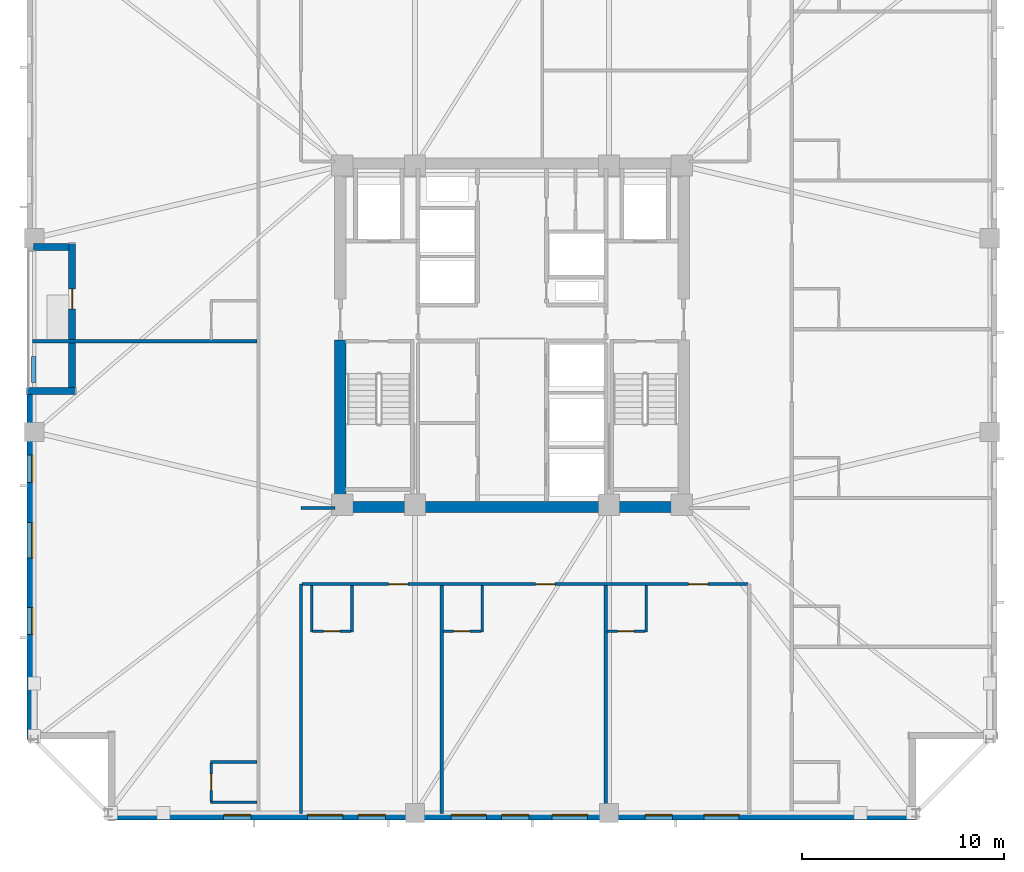
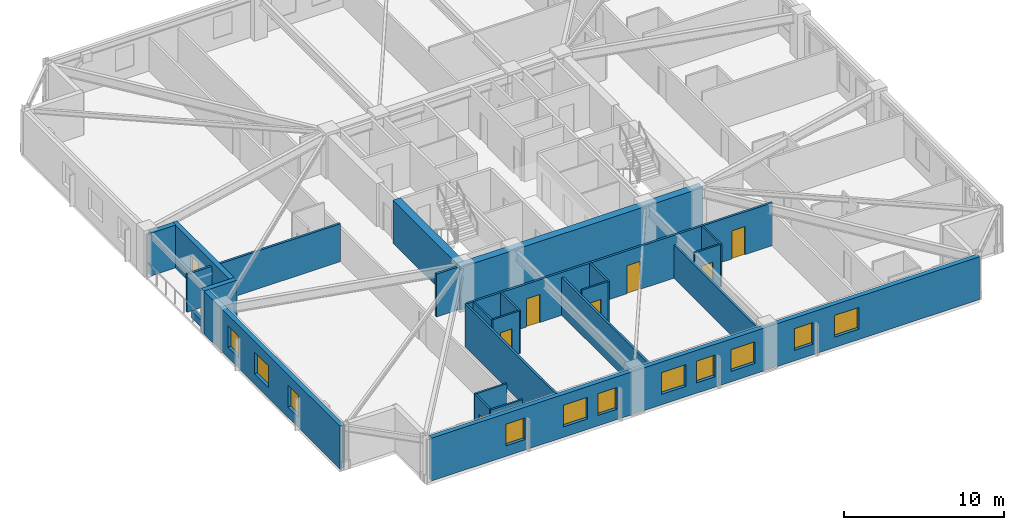
# One storey, part 2 of 11: 24 walls, 11 windows, 8 doors, 19 openings.
"""IFC4 building model written with IfcOpenShell, lengths in metres."""

from ifc_helpers import new_model, si_unit, direction, frame, frame_2d, origin, place, context, subcontext, project, spatial, rectangle, extrude, material, layer, layer_set, type_object, element, fill, save


model = new_model("IFC4")

# Units and contexts
model_context = context("Model", 3, precision=1e-05, world=origin(), true_north=direction((0.0, 1.0)))
body_context = subcontext(model_context, "Body", "Model", "MODEL_VIEW")
ifc_project = project(units=[si_unit("LENGTHUNIT", "METRE"), si_unit("AREAUNIT", "SQUARE_METRE"), si_unit("VOLUMEUNIT", "CUBIC_METRE"), si_unit("PLANEANGLEUNIT", "RADIAN"), si_unit("MASSUNIT", "GRAM", prefix="KILO")], contexts=[model_context])

# Site, building, storey
site_placement = place(None, origin())
site = spatial("IfcSite", under=ifc_project, at=site_placement, CompositionType="ELEMENT")
building_placement = place(site_placement, origin())
building = spatial("IfcBuilding", under=site, at=building_placement, Name="Cairnveth Concourse Tower", CompositionType="ELEMENT")
storey_placement = place(building_placement, frame((0.0, 0.0, 127.0)))
storey = spatial("IfcBuildingStorey", under=building, at=storey_placement, Name="L34", CompositionType="ELEMENT", Elevation=127.0)

# Walls
ifc_material_1 = material(Name="Gypsum Plasterboard Partition", Category="gypsum")
ifc_layer_1 = layer(ifc_material_1, 0.159912109375)
ifc_layer_set_1 = layer_set([ifc_layer_1], Name="Gypsum Plasterboard Partition")
wall_type_1 = type_object("IfcWallType", Name="ACOUSTIC PARTY WALL 180", PredefinedType="PARTITIONING", material=ifc_layer_set_1)
wall_1_placement = place(storey_placement, frame((41.550048828125, 15.324951171875, 0.0), z_axis=(0.0, 0.0, 1.0), x_axis=(0.0, 1.0, 0.0)))
element("IfcWall", 1, at=wall_1_placement, inside=storey, type_object=wall_type_1, Name="Interior Wall IW-L34-038", PredefinedType="PARTITIONING", context=body_context, shape_type="SweptSolid", body=[
    extrude(rectangle(XDim=11.35498046875, YDim=0.159912109375, at=frame_2d((5.677490234375, 0.0))), origin(), (0.0, 0.0, 1.0), 3.280029296875),
])
wall_2_placement = place(storey_placement, frame((41.550048828125, 30.449951171875, 0.0), z_axis=(0.0, 0.0, 1.0), x_axis=(1.0, 0.0, 0.0)))
element("IfcWall", 2, at=wall_2_placement, inside=storey, type_object=wall_type_1, Name="Interior Wall IW-L34-040", PredefinedType="PARTITIONING", context=body_context, shape_type="SweptSolid", body=[
    extrude(rectangle(XDim=1.68505859375, YDim=0.159912109375, at=frame_2d((0.842529296875, 0.0))), origin(), (0.0, 0.0, 1.0), 3.280029296875),
])

# Wall, openings, doors
wall_3_placement = place(storey_placement, frame((41.614990234375, 26.679931640625, 0.0), z_axis=(0.0, 0.0, 1.0), x_axis=(1.0, 0.0, 0.0)))
wall_3 = element("IfcWall", 3, at=wall_3_placement, inside=storey, type_object=wall_type_1, Name="Interior Wall IW-L34-047", PredefinedType="PARTITIONING", context=body_context, shape_type="SweptSolid", body=[
    extrude(rectangle(XDim=22.070068359375, YDim=0.159912109375, at=frame_2d((11.03515625, 0.0))), origin(), (0.0, 0.0, 1.0), 3.280029296875),
])
opening_1_placement = place(wall_3_placement, frame((4.281005859375, 0.0, 0.0)))
opening_1 = element("IfcOpeningElement", 4, at=opening_1_placement, cuts=wall_3, Name="Opening ID09", PredefinedType="OPENING", context=body_context, shape_type="SweptSolid", body=[
    extrude(rectangle(XDim=0.9599609375, YDim=2.14990234375, at=frame_2d((0.47998046875, 1.074951171875))), frame((0.0, 0.08984375, 0.0), z_axis=(0.0, -1.0, 0.0), x_axis=(1.0, 0.0, 0.0)), (0.0, 0.0, 1.0), 0.179931640625),
])
opening_2_placement = place(wall_3_placement, frame((11.56005859375, 0.0, 0.0)))
opening_2 = element("IfcOpeningElement", 5, at=opening_2_placement, cuts=wall_3, Name="Opening ID09", PredefinedType="OPENING", context=body_context, shape_type="SweptSolid", body=[
    extrude(rectangle(XDim=0.9599609375, YDim=2.14990234375, at=frame_2d((0.47998046875, 1.074951171875))), frame((0.0, 0.08984375, 0.0), z_axis=(0.0, -1.0, 0.0), x_axis=(1.0, 0.0, 0.0)), (0.0, 0.0, 1.0), 0.179931640625),
])
opening_3_placement = place(wall_3_placement, frame((19.13427734375, 0.0, 0.0)))
opening_3 = element("IfcOpeningElement", 6, at=opening_3_placement, cuts=wall_3, Name="Opening ID09", PredefinedType="OPENING", context=body_context, shape_type="SweptSolid", body=[
    extrude(rectangle(XDim=0.9599609375, YDim=2.14990234375, at=frame_2d((0.47998046875, 1.074951171875))), frame((0.0, 0.08984375, 0.0), z_axis=(0.0, -1.0, 0.0), x_axis=(1.0, 0.0, 0.0)), (0.0, 0.0, 1.0), 0.179931640625),
])
ifc_material_2 = material(Name="Solid Core Hardwood Timber Leaf", Category="wood")
door_type_1 = type_object("IfcDoorType", Name="HOTEL ENTRANCE DOOR 960X2150", OperationType="NOTDEFINED", PredefinedType="DOOR", material=ifc_material_2)
door_1_placement = place(opening_1_placement, origin())
door_1 = element("IfcDoor", 7, at=door_1_placement, inside=storey, type_object=door_type_1, Name="Hotel Room Door L34-S1", OperationType="SINGLE_SWING_RIGHT", OverallHeight=2.14990234375, OverallWidth=0.9599609375, PredefinedType="DOOR", context=body_context, shape_type="SweptSolid", body=[
    extrude(rectangle(XDim=0.9599609375, YDim=2.14990234375, at=frame_2d((0.47998046875, 1.074951171875))), frame((0.0, 0.02490234375, 0.0), z_axis=(0.0, -1.0, 0.0), x_axis=(1.0, 0.0, 0.0)), (0.0, 0.0, 1.0), 0.050048828125),
])
fill(opening_1, door_1)
door_2_placement = place(opening_2_placement, origin())
door_2 = element("IfcDoor", 8, at=door_2_placement, inside=storey, type_object=door_type_1, Name="Hotel Room Door L34-S2", OperationType="SINGLE_SWING_RIGHT", OverallHeight=2.14990234375, OverallWidth=0.9599609375, PredefinedType="DOOR", context=body_context, shape_type="SweptSolid", body=[
    extrude(rectangle(XDim=0.9599609375, YDim=2.14990234375, at=frame_2d((0.47998046875, 1.074951171875))), frame((0.0, 0.02490234375, 0.0), z_axis=(0.0, -1.0, 0.0), x_axis=(1.0, 0.0, 0.0)), (0.0, 0.0, 1.0), 0.050048828125),
])
fill(opening_2, door_2)
door_3_placement = place(opening_3_placement, origin())
door_3 = element("IfcDoor", 9, at=door_3_placement, inside=storey, type_object=door_type_1, Name="Hotel Room Door L34-S3", OperationType="SINGLE_SWING_RIGHT", OverallHeight=2.14990234375, OverallWidth=0.9599609375, PredefinedType="DOOR", context=body_context, shape_type="SweptSolid", body=[
    extrude(rectangle(XDim=0.9599609375, YDim=2.14990234375, at=frame_2d((0.47998046875, 1.074951171875))), frame((0.0, 0.02490234375, 0.0), z_axis=(0.0, -1.0, 0.0), x_axis=(1.0, 0.0, 0.0)), (0.0, 0.0, 1.0), 0.050048828125),
])
fill(opening_3, door_3)

# Walls
wall_4_placement = place(storey_placement, frame((48.521728515625, 15.324951171875, 0.0), z_axis=(0.0, 0.0, 1.0), x_axis=(0.0, 1.0, 0.0)))
element("IfcWall", 10, at=wall_4_placement, inside=storey, type_object=wall_type_1, Name="Interior Wall IW-L34-053", PredefinedType="PARTITIONING", context=body_context, shape_type="SweptSolid", body=[
    extrude(rectangle(XDim=11.275146484375, YDim=0.159912109375, at=frame_2d((5.6376953125, 0.0))), origin(), (0.0, 0.0, 1.0), 2.89599609375),
])
wall_5_placement = place(storey_placement, frame((56.63818359375, 15.324951171875, 0.0), z_axis=(0.0, 0.0, 1.0), x_axis=(0.0, 1.0, 0.0)))
element("IfcWall", 11, at=wall_5_placement, inside=storey, type_object=wall_type_1, Name="Interior Wall IW-L34-056", PredefinedType="PARTITIONING", context=body_context, shape_type="SweptSolid", body=[
    extrude(rectangle(XDim=11.275146484375, YDim=0.159912109375, at=frame_2d((5.6376953125, 0.0))), origin(), (0.0, 0.0, 1.0), 2.554931640625),
])
wall_6_placement = place(storey_placement, frame((28.27001953125, 38.704345703125, 0.0), z_axis=(0.0, 0.0, 1.0), x_axis=(1.0, 0.0, 0.0)))
element("IfcWall", 12, at=wall_6_placement, inside=storey, type_object=wall_type_1, Name="Interior Wall IW-L34-062", PredefinedType="PARTITIONING", context=body_context, shape_type="SweptSolid", body=[
    extrude(rectangle(XDim=11.10009765625, YDim=0.159912109375, at=frame_2d((5.550048828125, 0.0))), origin(), (0.0, 0.0, 1.0), 2.89599609375),
])
ifc_material_3 = material(Name="Concrete N80 (80 MPa)", Category="concrete")
ifc_layer_2 = layer(ifc_material_3, 0.550048828125)
ifc_layer_set_2 = layer_set([ifc_layer_2], Name="Concrete N80 (80 MPa)")
wall_type_2 = type_object("IfcWallType", Name="CORE SHEAR WALL 550", PredefinedType="SHEAR", material=ifc_layer_set_2)
wall_7_placement = place(storey_placement, frame((43.22509765625, 30.5, 0.0), z_axis=(0.0, 0.0, 1.0), x_axis=(1.0, 0.0, 0.0)))
element("IfcWall", 13, at=wall_7_placement, inside=storey, type_object=wall_type_2, Name="Core South Shear Wall L34", PredefinedType="SHEAR", context=body_context, shape_type="SweptSolid", body=[
    extrude(rectangle(XDim=17.5498046875, YDim=0.550048828125, at=frame_2d((8.77490234375, 0.0))), origin(), (0.0, 0.0, 1.0), 3.280029296875),
])
wall_8_placement = place(storey_placement, frame((43.5, 30.764892578125, 0.0), z_axis=(0.0, 0.0, 1.0), x_axis=(0.0, 1.0, 0.0)))
element("IfcWall", 14, at=wall_8_placement, inside=storey, type_object=wall_type_2, Name="Core West Shear Wall S L34", PredefinedType="SHEAR", context=body_context, shape_type="SweptSolid", body=[
    extrude(rectangle(XDim=7.985107421875, YDim=0.550048828125, at=frame_2d((3.99267578125, 0.0))), origin(), (0.0, 0.0, 1.0), 3.280029296875),
])
ifc_material_4 = material(Name="Dressed Melbourne Bluestone Cladding", Category="masonry")
ifc_layer_3 = layer(ifc_material_4, 0.219970703125)
ifc_layer_set_3 = layer_set([ifc_layer_3], Name="Dressed Melbourne Bluestone Cladding")
wall_type_3 = type_object("IfcWallType", Name="TERRACE PLANTER CURB WALL 220", PredefinedType="PARAPET", material=ifc_layer_set_3)
wall_9_placement = place(storey_placement, frame((28.320068359375, 36.64990234375, 0.0), z_axis=(0.0, 0.0, 1.0), x_axis=(0.0, 1.0, 0.0)))
element("IfcWall", 15, at=wall_9_placement, inside=storey, type_object=wall_type_3, Name="Exterior Wall PLNT-L34-TERR", PredefinedType="PARAPET", context=body_context, shape_type="SweptSolid", body=[
    extrude(rectangle(XDim=1.300048828125, YDim=0.219970703125, at=frame_2d((0.64990234375, 0.0))), origin(), (0.0, 0.0, 1.0), 0.550048828125),
])
ifc_layer_4 = layer(ifc_material_1, 0.1298828125)
ifc_layer_set_4 = layer_set([ifc_layer_4], Name="Gypsum Plasterboard Partition")
wall_type_4 = type_object("IfcWallType", Name="WET AREA PARTITION 140", PredefinedType="PLUMBINGWALL", material=ifc_layer_set_4)
for number, where, z_axis, x_axis, name in (
    (16, (42.080078125, 24.300048828125, 0.0), (0.0, 0.0, 1.0), (0.0, 1.0, 0.0), "Interior Wall IW-L34-050"),
    (17, (44.080078125, 24.300048828125, 0.0), (0.0, 0.0, 1.0), (0.0, 1.0, 0.0), "Interior Wall IW-L34-051"),
):
    element("IfcWall", number, at=place(storey_placement, frame(where, z_axis=z_axis, x_axis=x_axis)), inside=storey, type_object=wall_type_4, Name=name, PredefinedType="PLUMBINGWALL", context=body_context, shape_type="SweptSolid", body=[
        extrude(rectangle(XDim=2.31494140625, YDim=0.1298828125, at=frame_2d((1.157470703125, 0.0))), origin(), (0.0, 0.0, 1.0), 3.280029296875),
    ])

# Wall, opening, door
wall_10_placement = place(storey_placement, frame((42.1298828125, 24.35009765625, 0.0), z_axis=(0.0, 0.0, 1.0), x_axis=(1.0, 0.0, 0.0)))
wall_10 = element("IfcWall", 18, at=wall_10_placement, inside=storey, type_object=wall_type_4, Name="Interior Wall IW-L34-052", PredefinedType="PLUMBINGWALL", context=body_context, shape_type="SweptSolid", body=[
    extrude(rectangle(XDim=1.900146484375, YDim=0.1298828125, at=frame_2d((0.9501953125, 0.0))), origin(), (0.0, 0.0, 1.0), 3.280029296875),
])
opening_4_placement = place(wall_10_placement, frame((0.5400390625, 0.0, 0.0)))
opening_4 = element("IfcOpeningElement", 19, at=opening_4_placement, cuts=wall_10, Name="Opening ID22", PredefinedType="OPENING", context=body_context, shape_type="SweptSolid", body=[
    extrude(rectangle(XDim=0.820068359375, YDim=2.10009765625, at=frame_2d((0.41015625, 1.050048828125))), frame((0.0, 0.074951171875, 0.0), z_axis=(0.0, -1.0, 0.0), x_axis=(1.0, 0.0, 0.0)), (0.0, 0.0, 1.0), 0.14990234375),
])
door_type_2 = type_object("IfcDoorType", Name="INTERIOR WC DOOR 820X2100", OperationType="NOTDEFINED", PredefinedType="DOOR", material=ifc_material_2)
door_4_placement = place(opening_4_placement, origin())
door_4 = element("IfcDoor", 20, at=door_4_placement, inside=storey, type_object=door_type_2, Name="En-Suite Door L34-S1", OperationType="SINGLE_SWING_LEFT", OverallHeight=2.10009765625, OverallWidth=0.820068359375, PredefinedType="DOOR", context=body_context, shape_type="SweptSolid", body=[
    extrude(rectangle(XDim=0.820068359375, YDim=2.10009765625, at=frame_2d((0.41015625, 1.050048828125))), frame((0.0, 0.02490234375, 0.0), z_axis=(0.0, -1.0, 0.0), x_axis=(1.0, 0.0, 0.0)), (0.0, 0.0, 1.0), 0.050048828125),
])
fill(opening_4, door_4)

# Wall
wall_11_placement = place(storey_placement, frame((50.521728515625, 24.300048828125, 0.0), z_axis=(0.0, 0.0, 1.0), x_axis=(0.0, 1.0, 0.0)))
element("IfcWall", 21, at=wall_11_placement, inside=storey, type_object=wall_type_4, Name="Interior Wall IW-L34-054", PredefinedType="PLUMBINGWALL", context=body_context, shape_type="SweptSolid", body=[
    extrude(rectangle(XDim=2.31494140625, YDim=0.1298828125, at=frame_2d((1.157470703125, 0.0))), origin(), (0.0, 0.0, 1.0), 3.280029296875),
])

# Wall, opening, door
wall_12_placement = place(storey_placement, frame((48.586669921875, 24.35009765625, 0.0), z_axis=(0.0, 0.0, 1.0), x_axis=(1.0, 0.0, 0.0)))
wall_12 = element("IfcWall", 22, at=wall_12_placement, inside=storey, type_object=wall_type_4, Name="Interior Wall IW-L34-055", PredefinedType="PLUMBINGWALL", context=body_context, shape_type="SweptSolid", body=[
    extrude(rectangle(XDim=1.885009765625, YDim=0.1298828125, at=frame_2d((0.9423828125, 0.0))), origin(), (0.0, 0.0, 1.0), 3.280029296875),
])
opening_5_placement = place(wall_12_placement, frame((0.52490234375, 0.0, 0.0)))
opening_5 = element("IfcOpeningElement", 23, at=opening_5_placement, cuts=wall_12, Name="Opening ID22", PredefinedType="OPENING", context=body_context, shape_type="SweptSolid", body=[
    extrude(rectangle(XDim=0.820068359375, YDim=2.10009765625, at=frame_2d((0.41015625, 1.050048828125))), frame((0.0, 0.074951171875, 0.0), z_axis=(0.0, -1.0, 0.0), x_axis=(1.0, 0.0, 0.0)), (0.0, 0.0, 1.0), 0.14990234375),
])
door_5_placement = place(opening_5_placement, origin())
door_5 = element("IfcDoor", 24, at=door_5_placement, inside=storey, type_object=door_type_2, Name="En-Suite Door L34-S2", OperationType="SINGLE_SWING_LEFT", OverallHeight=2.10009765625, OverallWidth=0.820068359375, PredefinedType="DOOR", context=body_context, shape_type="SweptSolid", body=[
    extrude(rectangle(XDim=0.820068359375, YDim=2.10009765625, at=frame_2d((0.41015625, 1.050048828125))), frame((0.0, 0.02490234375, 0.0), z_axis=(0.0, -1.0, 0.0), x_axis=(1.0, 0.0, 0.0)), (0.0, 0.0, 1.0), 0.050048828125),
])
fill(opening_5, door_5)

# Wall
wall_13_placement = place(storey_placement, frame((58.63818359375, 24.300048828125, 0.0), z_axis=(0.0, 0.0, 1.0), x_axis=(0.0, 1.0, 0.0)))
element("IfcWall", 25, at=wall_13_placement, inside=storey, type_object=wall_type_4, Name="Interior Wall IW-L34-057", PredefinedType="PLUMBINGWALL", context=body_context, shape_type="SweptSolid", body=[
    extrude(rectangle(XDim=2.31494140625, YDim=0.1298828125, at=frame_2d((1.157470703125, 0.0))), origin(), (0.0, 0.0, 1.0), 3.280029296875),
])

# Wall, opening, door
wall_14_placement = place(storey_placement, frame((56.703369140625, 24.35009765625, 0.0), z_axis=(0.0, 0.0, 1.0), x_axis=(1.0, 0.0, 0.0)))
wall_14 = element("IfcWall", 26, at=wall_14_placement, inside=storey, type_object=wall_type_4, Name="Interior Wall IW-L34-058", PredefinedType="PLUMBINGWALL", context=body_context, shape_type="SweptSolid", body=[
    extrude(rectangle(XDim=1.885009765625, YDim=0.1298828125, at=frame_2d((0.9423828125, 0.0))), origin(), (0.0, 0.0, 1.0), 3.280029296875),
])
opening_6_placement = place(wall_14_placement, frame((0.52490234375, 0.0, 0.0)))
opening_6 = element("IfcOpeningElement", 27, at=opening_6_placement, cuts=wall_14, Name="Opening ID22", PredefinedType="OPENING", context=body_context, shape_type="SweptSolid", body=[
    extrude(rectangle(XDim=0.820068359375, YDim=2.10009765625, at=frame_2d((0.41015625, 1.050048828125))), frame((0.0, 0.074951171875, 0.0), z_axis=(0.0, -1.0, 0.0), x_axis=(1.0, 0.0, 0.0)), (0.0, 0.0, 1.0), 0.14990234375),
])
door_6_placement = place(opening_6_placement, origin())
door_6 = element("IfcDoor", 28, at=door_6_placement, inside=storey, type_object=door_type_2, Name="En-Suite Door L34-S3", OperationType="SINGLE_SWING_LEFT", OverallHeight=2.10009765625, OverallWidth=0.820068359375, PredefinedType="DOOR", context=body_context, shape_type="SweptSolid", body=[
    extrude(rectangle(XDim=0.820068359375, YDim=2.10009765625, at=frame_2d((0.41015625, 1.050048828125))), frame((0.0, 0.02490234375, 0.0), z_axis=(0.0, -1.0, 0.0), x_axis=(1.0, 0.0, 0.0)), (0.0, 0.0, 1.0), 0.050048828125),
])
fill(opening_6, door_6)

# Walls
for number, where, z_axis, x_axis, name in (
    (29, (37.070068359375, 15.8701171875, 0.0), (0.0, 0.0, 1.0), (1.0, 0.0, 0.0), "Interior Wall IW-L34-059"),
    (30, (37.070068359375, 17.8701171875, 0.0), (0.0, 0.0, 1.0), (1.0, 0.0, 0.0), "Interior Wall IW-L34-060"),
):
    element("IfcWall", number, at=place(storey_placement, frame(where, z_axis=z_axis, x_axis=x_axis)), inside=storey, type_object=wall_type_4, Name=name, PredefinedType="PLUMBINGWALL", context=body_context, shape_type="SweptSolid", body=[
        extrude(rectangle(XDim=2.31494140625, YDim=0.1298828125, at=frame_2d((1.157470703125, 0.0))), origin(), (0.0, 0.0, 1.0), 3.280029296875),
    ])

# Wall, opening, door
wall_15_placement = place(storey_placement, frame((37.1201171875, 15.919921875, 0.0), z_axis=(0.0, 0.0, 1.0), x_axis=(0.0, 1.0, 0.0)))
wall_15 = element("IfcWall", 31, at=wall_15_placement, inside=storey, type_object=wall_type_4, Name="Interior Wall IW-L34-061", PredefinedType="PLUMBINGWALL", context=body_context, shape_type="SweptSolid", body=[
    extrude(rectangle(XDim=1.900146484375, YDim=0.1298828125, at=frame_2d((0.9501953125, 0.0))), origin(), (0.0, 0.0, 1.0), 3.280029296875),
])
opening_7_placement = place(wall_15_placement, frame((0.5400390625, 0.0, 0.0)))
opening_7 = element("IfcOpeningElement", 32, at=opening_7_placement, cuts=wall_15, Name="Opening ID22", PredefinedType="OPENING", context=body_context, shape_type="SweptSolid", body=[
    extrude(rectangle(XDim=0.820068359375, YDim=2.10009765625, at=frame_2d((0.41015625, 1.050048828125))), frame((0.0, 0.074951171875, 0.0), z_axis=(0.0, -1.0, 0.0), x_axis=(1.0, 0.0, 0.0)), (0.0, 0.0, 1.0), 0.14990234375),
])
door_7_placement = place(opening_7_placement, origin())
door_7 = element("IfcDoor", 33, at=door_7_placement, inside=storey, type_object=door_type_2, Name="En-Suite Door L34-W1", OperationType="SINGLE_SWING_LEFT", OverallHeight=2.10009765625, OverallWidth=0.820068359375, PredefinedType="DOOR", context=body_context, shape_type="SweptSolid", body=[
    extrude(rectangle(XDim=0.820068359375, YDim=2.10009765625, at=frame_2d((0.41015625, 1.050048828125))), frame((0.0, 0.02490234375, 0.0), z_axis=(0.0, -1.0, 0.0), x_axis=(1.0, 0.0, 0.0)), (0.0, 0.0, 1.0), 0.050048828125),
])
fill(opening_7, door_7)

# Wall, openings, windows
ifc_material_5 = material(Name="Hawthorn Red-Ochre Fired Clay Brick Masonry", Category="masonry")
ifc_layer_5 = layer(ifc_material_5, 0.340087890625)
ifc_layer_set_5 = layer_set([ifc_layer_5], Name="Hawthorn Red-Ochre Fired Clay Brick Masonry")
wall_type_5 = type_object("IfcWallType", Name="ZONE 2 BRICK PIER SPANDREL WALL 340", PredefinedType="SOLIDWALL", material=ifc_layer_set_5)
wall_16_placement = place(storey_placement, frame((72.0, 15.169921875, 0.0), z_axis=(0.0, 0.0, 1.0), x_axis=(-1.0, 0.0, 0.0)))
wall_16 = element("IfcWall", 34, at=wall_16_placement, inside=storey, type_object=wall_type_5, Name="Exterior Wall EW-L34-S09", PredefinedType="SOLIDWALL", context=body_context, shape_type="SweptSolid", body=[
    extrude(rectangle(XDim=39.681884765625, YDim=0.340087890625, at=frame_2d((19.8408203125, 0.0))), origin(), (0.0, 0.0, 1.0), 3.280029296875),
])
opening_8_placement = place(wall_16_placement, frame((8.75537109375, 0.0, 0.800048828125)))
opening_8 = element("IfcOpeningElement", 35, at=opening_8_placement, cuts=wall_16, Name="Opening W06", PredefinedType="OPENING", context=body_context, shape_type="SweptSolid", body=[
    extrude(rectangle(XDim=1.75, YDim=1.659912109375, at=frame_2d((0.875, 0.830078125))), frame((0.0, 0.179931640625, 0.0), z_axis=(0.0, -1.0, 0.0), x_axis=(1.0, 0.0, 0.0)), (0.0, 0.0, 1.0), 0.360107421875),
])
opening_9_placement = place(wall_16_placement, frame((12.058837890625, 0.0, 0.800048828125)))
opening_9 = element("IfcOpeningElement", 36, at=opening_9_placement, cuts=wall_16, Name="Opening W02", PredefinedType="OPENING", context=body_context, shape_type="SweptSolid", body=[
    extrude(rectangle(XDim=1.35009765625, YDim=1.659912109375, at=frame_2d((0.675048828125, 0.830078125))), frame((0.0, 0.179931640625, 0.0), z_axis=(0.0, -1.0, 0.0), x_axis=(1.0, 0.0, 0.0)), (0.0, 0.0, 1.0), 0.360107421875),
])
opening_10_placement = place(wall_16_placement, frame((16.262451171875, 0.0, 0.800048828125)))
opening_10 = element("IfcOpeningElement", 37, at=opening_10_placement, cuts=wall_16, Name="Opening W06", PredefinedType="OPENING", context=body_context, shape_type="SweptSolid", body=[
    extrude(rectangle(XDim=1.75, YDim=1.659912109375, at=frame_2d((0.875, 0.830078125))), frame((0.0, 0.179931640625, 0.0), z_axis=(0.0, -1.0, 0.0), x_axis=(1.0, 0.0, 0.0)), (0.0, 0.0, 1.0), 0.360107421875),
])
opening_11_placement = place(wall_16_placement, frame((19.166015625, 0.0, 0.800048828125)))
opening_11 = element("IfcOpeningElement", 38, at=opening_11_placement, cuts=wall_16, Name="Opening W02", PredefinedType="OPENING", context=body_context, shape_type="SweptSolid", body=[
    extrude(rectangle(XDim=1.35009765625, YDim=1.659912109375, at=frame_2d((0.675048828125, 0.830078125))), frame((0.0, 0.179931640625, 0.0), z_axis=(0.0, -1.0, 0.0), x_axis=(1.0, 0.0, 0.0)), (0.0, 0.0, 1.0), 0.360107421875),
])
opening_12_placement = place(wall_16_placement, frame((21.26953125, 0.0, 0.800048828125)))
opening_12 = element("IfcOpeningElement", 39, at=opening_12_placement, cuts=wall_16, Name="Opening W06", PredefinedType="OPENING", context=body_context, shape_type="SweptSolid", body=[
    extrude(rectangle(XDim=1.75, YDim=1.659912109375, at=frame_2d((0.875, 0.830078125))), frame((0.0, 0.179931640625, 0.0), z_axis=(0.0, -1.0, 0.0), x_axis=(1.0, 0.0, 0.0)), (0.0, 0.0, 1.0), 0.360107421875),
])
opening_13_placement = place(wall_16_placement, frame((26.273193359375, 0.0, 0.800048828125)))
opening_13 = element("IfcOpeningElement", 40, at=opening_13_placement, cuts=wall_16, Name="Opening W02", PredefinedType="OPENING", context=body_context, shape_type="SweptSolid", body=[
    extrude(rectangle(XDim=1.35009765625, YDim=1.659912109375, at=frame_2d((0.675048828125, 0.830078125))), frame((0.0, 0.179931640625, 0.0), z_axis=(0.0, -1.0, 0.0), x_axis=(1.0, 0.0, 0.0)), (0.0, 0.0, 1.0), 0.360107421875),
])
opening_14_placement = place(wall_16_placement, frame((28.376708984375, 0.0, 0.800048828125)))
opening_14 = element("IfcOpeningElement", 41, at=opening_14_placement, cuts=wall_16, Name="Opening W06", PredefinedType="OPENING", context=body_context, shape_type="SweptSolid", body=[
    extrude(rectangle(XDim=1.75, YDim=1.659912109375, at=frame_2d((0.875, 0.830078125))), frame((0.0, 0.179931640625, 0.0), z_axis=(0.0, -1.0, 0.0), x_axis=(1.0, 0.0, 0.0)), (0.0, 0.0, 1.0), 0.360107421875),
])
opening_15_placement = place(wall_16_placement, frame((32.93017578125, 0.0, 0.800048828125)))
opening_15 = element("IfcOpeningElement", 42, at=opening_15_placement, cuts=wall_16, Name="Opening W02", PredefinedType="OPENING", context=body_context, shape_type="SweptSolid", body=[
    extrude(rectangle(XDim=1.35009765625, YDim=1.659912109375, at=frame_2d((0.675048828125, 0.830078125))), frame((0.0, 0.179931640625, 0.0), z_axis=(0.0, -1.0, 0.0), x_axis=(1.0, 0.0, 0.0)), (0.0, 0.0, 1.0), 0.360107421875),
])
ifc_material_6 = material(Name="Double Glazed Low-E Clear Glass", Category="glass")
window_type_1 = type_object("IfcWindowType", Name="DEEP-SET GOTHIC LANCET WINDOW 1350X1800", PartitioningType="DOUBLE_PANEL_VERTICAL", PredefinedType="WINDOW", material=ifc_material_6)
window_1_placement = place(opening_9_placement, origin())
window_1 = element("IfcWindow", 43, at=window_1_placement, inside=storey, type_object=window_type_1, Name="Gothic Lancet Window L34-9-3", OverallHeight=1.659912109375, OverallWidth=1.35009765625, PartitioningType="SINGLE_PANEL", PredefinedType="WINDOW", context=body_context, shape_type="SweptSolid", body=[
    extrude(rectangle(XDim=1.35009765625, YDim=1.659912109375, at=frame_2d((0.675048828125, 0.830078125))), frame((0.0, -0.050048828125, 0.0), z_axis=(0.0, -1.0, 0.0), x_axis=(1.0, 0.0, 0.0)), (0.0, 0.0, 1.0), 0.06005859375),
])
fill(opening_9, window_1)
window_2_placement = place(opening_11_placement, origin())
window_2 = element("IfcWindow", 44, at=window_2_placement, inside=storey, type_object=window_type_1, Name="Gothic Lancet Window L34-9-5", OverallHeight=1.659912109375, OverallWidth=1.35009765625, PartitioningType="SINGLE_PANEL", PredefinedType="WINDOW", context=body_context, shape_type="SweptSolid", body=[
    extrude(rectangle(XDim=1.35009765625, YDim=1.659912109375, at=frame_2d((0.675048828125, 0.830078125))), frame((0.0, -0.050048828125, 0.0), z_axis=(0.0, -1.0, 0.0), x_axis=(1.0, 0.0, 0.0)), (0.0, 0.0, 1.0), 0.06005859375),
])
fill(opening_11, window_2)
window_3_placement = place(opening_13_placement, origin())
window_3 = element("IfcWindow", 45, at=window_3_placement, inside=storey, type_object=window_type_1, Name="Gothic Lancet Window L34-9-7", OverallHeight=1.659912109375, OverallWidth=1.35009765625, PartitioningType="SINGLE_PANEL", PredefinedType="WINDOW", context=body_context, shape_type="SweptSolid", body=[
    extrude(rectangle(XDim=1.35009765625, YDim=1.659912109375, at=frame_2d((0.675048828125, 0.830078125))), frame((0.0, -0.050048828125, 0.0), z_axis=(0.0, -1.0, 0.0), x_axis=(1.0, 0.0, 0.0)), (0.0, 0.0, 1.0), 0.06005859375),
])
fill(opening_13, window_3)
window_4_placement = place(opening_15_placement, origin())
window_4 = element("IfcWindow", 46, at=window_4_placement, inside=storey, type_object=window_type_1, Name="Gothic Lancet Window L34-9-9", OverallHeight=1.659912109375, OverallWidth=1.35009765625, PartitioningType="SINGLE_PANEL", PredefinedType="WINDOW", context=body_context, shape_type="SweptSolid", body=[
    extrude(rectangle(XDim=1.35009765625, YDim=1.659912109375, at=frame_2d((0.675048828125, 0.830078125))), frame((0.0, -0.050048828125, 0.0), z_axis=(0.0, -1.0, 0.0), x_axis=(1.0, 0.0, 0.0)), (0.0, 0.0, 1.0), 0.06005859375),
])
fill(opening_15, window_4)
window_type_2 = type_object("IfcWindowType", Name="DEEP-SET HOTEL SUITE WINDOW 1750X1800", PartitioningType="DOUBLE_PANEL_VERTICAL", PredefinedType="WINDOW", material=ifc_material_6)
window_5_placement = place(opening_8_placement, origin())
window_5 = element("IfcWindow", 47, at=window_5_placement, inside=storey, type_object=window_type_2, Name="Gothic Lancet Window L34-9-2", OverallHeight=1.659912109375, OverallWidth=1.75, PartitioningType="SINGLE_PANEL", PredefinedType="WINDOW", context=body_context, shape_type="SweptSolid", body=[
    extrude(rectangle(XDim=1.75, YDim=1.659912109375, at=frame_2d((0.875, 0.830078125))), frame((0.0, -0.050048828125, 0.0), z_axis=(0.0, -1.0, 0.0), x_axis=(1.0, 0.0, 0.0)), (0.0, 0.0, 1.0), 0.06005859375),
])
fill(opening_8, window_5)
window_6_placement = place(opening_10_placement, origin())
window_6 = element("IfcWindow", 48, at=window_6_placement, inside=storey, type_object=window_type_2, Name="Gothic Lancet Window L34-9-4", OverallHeight=1.659912109375, OverallWidth=1.75, PartitioningType="SINGLE_PANEL", PredefinedType="WINDOW", context=body_context, shape_type="SweptSolid", body=[
    extrude(rectangle(XDim=1.75, YDim=1.659912109375, at=frame_2d((0.875, 0.830078125))), frame((0.0, -0.050048828125, 0.0), z_axis=(0.0, -1.0, 0.0), x_axis=(1.0, 0.0, 0.0)), (0.0, 0.0, 1.0), 0.06005859375),
])
fill(opening_10, window_6)
window_7_placement = place(opening_12_placement, origin())
window_7 = element("IfcWindow", 49, at=window_7_placement, inside=storey, type_object=window_type_2, Name="Gothic Lancet Window L34-9-6", OverallHeight=1.659912109375, OverallWidth=1.75, PartitioningType="SINGLE_PANEL", PredefinedType="WINDOW", context=body_context, shape_type="SweptSolid", body=[
    extrude(rectangle(XDim=1.75, YDim=1.659912109375, at=frame_2d((0.875, 0.830078125))), frame((0.0, -0.050048828125, 0.0), z_axis=(0.0, -1.0, 0.0), x_axis=(1.0, 0.0, 0.0)), (0.0, 0.0, 1.0), 0.06005859375),
])
fill(opening_12, window_7)
window_8_placement = place(opening_14_placement, origin())
window_8 = element("IfcWindow", 50, at=window_8_placement, inside=storey, type_object=window_type_2, Name="Gothic Lancet Window L34-9-8", OverallHeight=1.659912109375, OverallWidth=1.75, PartitioningType="SINGLE_PANEL", PredefinedType="WINDOW", context=body_context, shape_type="SweptSolid", body=[
    extrude(rectangle(XDim=1.75, YDim=1.659912109375, at=frame_2d((0.875, 0.830078125))), frame((0.0, -0.050048828125, 0.0), z_axis=(0.0, -1.0, 0.0), x_axis=(1.0, 0.0, 0.0)), (0.0, 0.0, 1.0), 0.06005859375),
])
fill(opening_14, window_8)

wall_17_placement = place(storey_placement, frame((28.169921875, 19.0, 0.0), z_axis=(0.0, 0.0, 1.0), x_axis=(0.0, 1.0, 0.0)))
wall_17 = element("IfcWall", 51, at=wall_17_placement, inside=storey, type_object=wall_type_5, Name="Exterior Wall EW-L34-S12", PredefinedType="SOLIDWALL", context=body_context, shape_type="SweptSolid", body=[
    extrude(rectangle(XDim=17.08203125, YDim=0.340087890625, at=frame_2d((8.541015625, 0.0))), origin(), (0.0, 0.0, 1.0), 3.280029296875),
])
opening_16_placement = place(wall_17_placement, frame((5.172119140625, 0.0, 0.800048828125)))
opening_16 = element("IfcOpeningElement", 52, at=opening_16_placement, cuts=wall_17, Name="Opening W02", PredefinedType="OPENING", context=body_context, shape_type="SweptSolid", body=[
    extrude(rectangle(XDim=1.35009765625, YDim=1.659912109375, at=frame_2d((0.675048828125, 0.830078125))), frame((0.0, 0.179931640625, 0.0), z_axis=(0.0, -1.0, 0.0), x_axis=(1.0, 0.0, 0.0)), (0.0, 0.0, 1.0), 0.360107421875),
])
opening_17_placement = place(wall_17_placement, frame((8.966064453125, 0.0, 0.800048828125)))
opening_17 = element("IfcOpeningElement", 53, at=opening_17_placement, cuts=wall_17, Name="Opening W06", PredefinedType="OPENING", context=body_context, shape_type="SweptSolid", body=[
    extrude(rectangle(XDim=1.75, YDim=1.659912109375, at=frame_2d((0.875, 0.830078125))), frame((0.0, 0.179931640625, 0.0), z_axis=(0.0, -1.0, 0.0), x_axis=(1.0, 0.0, 0.0)), (0.0, 0.0, 1.0), 0.360107421875),
])
opening_18_placement = place(wall_17_placement, frame((12.7099609375, 0.0, 0.800048828125)))
opening_18 = element("IfcOpeningElement", 54, at=opening_18_placement, cuts=wall_17, Name="Opening W02", PredefinedType="OPENING", context=body_context, shape_type="SweptSolid", body=[
    extrude(rectangle(XDim=1.35009765625, YDim=1.659912109375, at=frame_2d((0.675048828125, 0.830078125))), frame((0.0, 0.179931640625, 0.0), z_axis=(0.0, -1.0, 0.0), x_axis=(1.0, 0.0, 0.0)), (0.0, 0.0, 1.0), 0.360107421875),
])
window_9_placement = place(opening_16_placement, origin())
window_9 = element("IfcWindow", 55, at=window_9_placement, inside=storey, type_object=window_type_1, Name="Gothic Lancet Window L34-12-1", OverallHeight=1.659912109375, OverallWidth=1.35009765625, PartitioningType="SINGLE_PANEL", PredefinedType="WINDOW", context=body_context, shape_type="SweptSolid", body=[
    extrude(rectangle(XDim=1.35009765625, YDim=1.659912109375, at=frame_2d((0.675048828125, 0.830078125))), frame((0.0, -0.050048828125, 0.0), z_axis=(0.0, -1.0, 0.0), x_axis=(1.0, 0.0, 0.0)), (0.0, 0.0, 1.0), 0.06005859375),
])
fill(opening_16, window_9)
window_10_placement = place(opening_18_placement, origin())
window_10 = element("IfcWindow", 56, at=window_10_placement, inside=storey, type_object=window_type_1, Name="Gothic Lancet Window L34-12-3", OverallHeight=1.659912109375, OverallWidth=1.35009765625, PartitioningType="SINGLE_PANEL", PredefinedType="WINDOW", context=body_context, shape_type="SweptSolid", body=[
    extrude(rectangle(XDim=1.35009765625, YDim=1.659912109375, at=frame_2d((0.675048828125, 0.830078125))), frame((0.0, -0.050048828125, 0.0), z_axis=(0.0, -1.0, 0.0), x_axis=(1.0, 0.0, 0.0)), (0.0, 0.0, 1.0), 0.06005859375),
])
fill(opening_18, window_10)
window_11_placement = place(opening_17_placement, origin())
window_11 = element("IfcWindow", 57, at=window_11_placement, inside=storey, type_object=window_type_2, Name="Gothic Lancet Window L34-12-2", OverallHeight=1.659912109375, OverallWidth=1.75, PartitioningType="SINGLE_PANEL", PredefinedType="WINDOW", context=body_context, shape_type="SweptSolid", body=[
    extrude(rectangle(XDim=1.75, YDim=1.659912109375, at=frame_2d((0.875, 0.830078125))), frame((0.0, -0.050048828125, 0.0), z_axis=(0.0, -1.0, 0.0), x_axis=(1.0, 0.0, 0.0)), (0.0, 0.0, 1.0), 0.06005859375),
])
fill(opening_17, window_11)

# Wall
wall_18_placement = place(storey_placement, frame((28.0, 36.22998046875, 0.0), z_axis=(0.0, 0.0, 1.0), x_axis=(1.0, 0.0, 0.0)))
element("IfcWall", 58, at=wall_18_placement, inside=storey, type_object=wall_type_5, Name="Exterior Wall EW-L34-S13", PredefinedType="SOLIDWALL", context=body_context, shape_type="SweptSolid", body=[
    extrude(rectangle(XDim=2.389892578125, YDim=0.340087890625, at=frame_2d((1.19482421875, 0.0))), origin(), (0.0, 0.0, 1.0), 3.280029296875),
])

# Wall, opening, door
wall_19_placement = place(storey_placement, frame((30.219970703125, 36.3779296875, 0.0), z_axis=(0.0, 0.0, 1.0), x_axis=(0.0, 1.0, 0.0)))
wall_19 = element("IfcWall", 59, at=wall_19_placement, inside=storey, type_object=wall_type_5, Name="Exterior Wall EW-L34-S14", PredefinedType="SOLIDWALL", context=body_context, shape_type="SweptSolid", body=[
    extrude(rectangle(XDim=7.162109375, YDim=0.340087890625, at=frame_2d((3.5810546875, 0.0))), origin(), (0.0, 0.0, 1.0), 3.280029296875),
])
opening_19_placement = place(wall_19_placement, frame((3.919189453125, 0.0, 0.0)))
opening_19 = element("IfcOpeningElement", 60, at=opening_19_placement, cuts=wall_19, Name="Opening ED4", PredefinedType="OPENING", context=body_context, shape_type="SweptSolid", body=[
    extrude(rectangle(XDim=1.0, YDim=2.14990234375, at=frame_2d((0.5, 1.074951171875))), frame((0.0, 0.179931640625, 0.0), z_axis=(0.0, -1.0, 0.0), x_axis=(1.0, 0.0, 0.0)), (0.0, 0.0, 1.0), 0.360107421875),
])
ifc_material_7 = material(Name="Architectural Bronze Anodised Aluminium 6063-T6", Category="aluminium")
door_type_3 = type_object("IfcDoorType", Name="TERRACE GLAZED DOOR 1000X2150", OperationType="NOTDEFINED", PredefinedType="DOOR", material=ifc_material_7)
door_8_placement = place(opening_19_placement, origin())
door_8 = element("IfcDoor", 61, at=door_8_placement, inside=storey, type_object=door_type_3, Name="Spiral Terrace Door L34", OperationType="SINGLE_SWING_LEFT", OverallHeight=2.14990234375, OverallWidth=1.0, PredefinedType="DOOR", context=body_context, shape_type="SweptSolid", body=[
    extrude(rectangle(XDim=1.0, YDim=2.14990234375, at=frame_2d((0.5, 1.074951171875))), frame((0.0, 0.02490234375, 0.0), z_axis=(0.0, -1.0, 0.0), x_axis=(1.0, 0.0, 0.0)), (0.0, 0.0, 1.0), 0.050048828125),
])
fill(opening_19, door_8)

# Wall
wall_20_placement = place(storey_placement, frame((30.072021484375, 43.3701171875, 0.0), z_axis=(0.0, 0.0, 1.0), x_axis=(-1.0, 0.0, 0.0)))
element("IfcWall", 62, at=wall_20_placement, inside=storey, type_object=wall_type_5, Name="Exterior Wall EW-L34-S15", PredefinedType="SOLIDWALL", context=body_context, shape_type="SweptSolid", body=[
    extrude(rectangle(XDim=1.75390625, YDim=0.340087890625, at=frame_2d((0.876953125, 0.0))), origin(), (0.0, 0.0, 1.0), 3.280029296875),
])

save(model, "model.ifc")
